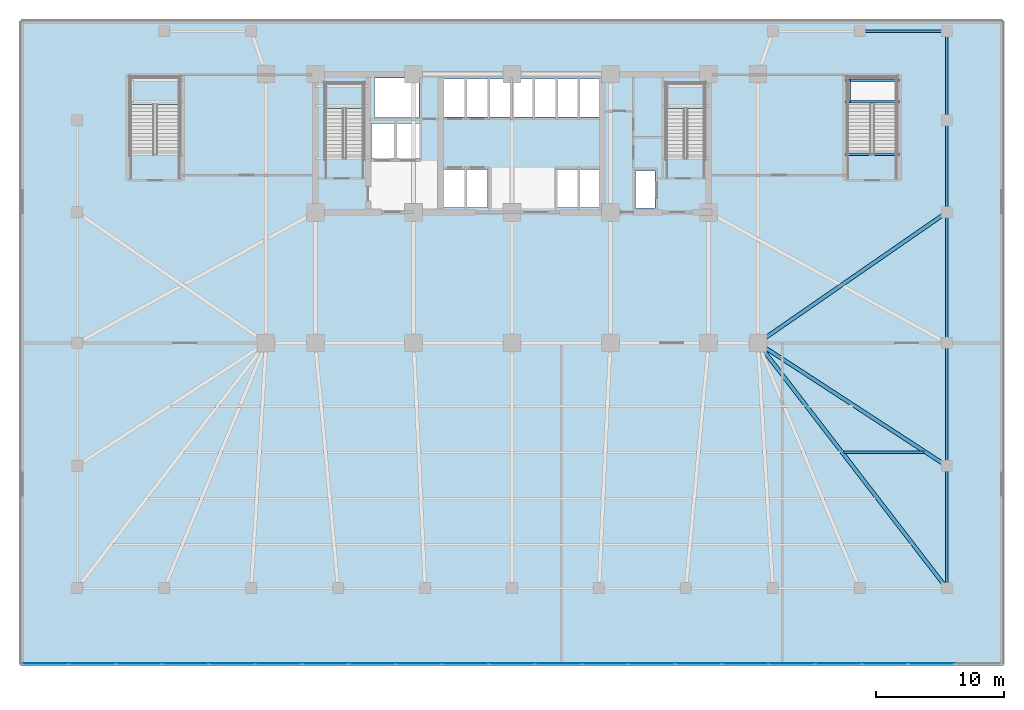
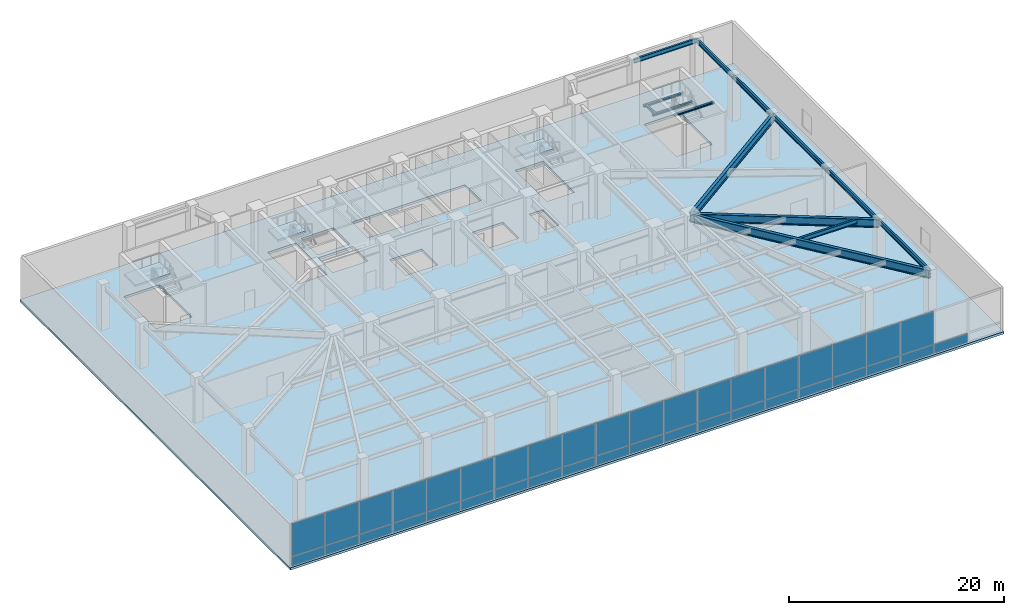
# One storey, part 11 of 19: 39 plates, 14 beams, 4 slabs, 4 elements without a shape of their own.
"""IFC4 building model written with IfcOpenShell, lengths in metres."""

from ifc_helpers import new_model, si_unit, direction, frame, origin, origin_2d, place, context, subcontext, project, spatial, polyline, rectangle, i_section, outline, extrude, material, layer, layer_set, material_profile, profile_set, type_object, element, aggregate, save


model = new_model("IFC4")

# Units and contexts
model_context = context("Model", 3, precision=1e-05, world=origin(), true_north=direction((0.0, 1.0)))
body_context = subcontext(model_context, "Body", "Model", "MODEL_VIEW")
ifc_project = project(units=[si_unit("LENGTHUNIT", "METRE"), si_unit("AREAUNIT", "SQUARE_METRE"), si_unit("VOLUMEUNIT", "CUBIC_METRE"), si_unit("PLANEANGLEUNIT", "RADIAN"), si_unit("MASSUNIT", "GRAM", prefix="KILO")], contexts=[model_context])

# Site, building, storey
site_placement = place(None, origin())
site = spatial("IfcSite", under=ifc_project, at=site_placement, CompositionType="ELEMENT")
building_placement = place(site_placement, origin())
building = spatial("IfcBuilding", under=site, at=building_placement, Name="Yelkora Congress Tower", CompositionType="ELEMENT")
storey_placement = place(building_placement, frame((0.0, 0.0, 5.199951171875)))
storey = spatial("IfcBuildingStorey", under=building, at=storey_placement, Name="L01", CompositionType="ELEMENT", Elevation=5.199951171875)

# Beams
ifc_material_1 = material(Name="Steel S460M", Category="steel")
ifc_material_profile_1 = material_profile(ifc_material_1, i_section(OverallWidth=0.302001953125, OverallDepth=0.909912109375, WebThickness=0.02099609375, FlangeThickness=0.0400390625, FilletRadius=0.030029296875, at=origin_2d()), Name="HEM 900")
ifc_profile_set_1 = profile_set([ifc_material_profile_1], Name="Steel S460M")
beam_type_1 = type_object("IfcBeamType", Name="BM-HALL-HEM900", PredefinedType="BEAM", material=ifc_profile_set_1)
beam_1_placement = place(storey_placement, frame((72.35009765625, 6.050048828125, 4.485107421875), z_axis=(-0.610212418574, 0.792237845737, 0.0), x_axis=(-0.792237845737, -0.610212418574, 0.0)))
element("IfcBeam", 1, at=beam_1_placement, inside=storey, type_object=beam_type_1, Name="L01 Primary Frame Girder PS11", PredefinedType="BEAM", context=body_context, shape_type="SweptSolid", body=[
    extrude(i_section(OverallWidth=0.302001953125, OverallDepth=0.909912109375, WebThickness=0.02099609375, FlangeThickness=0.0400390625, FilletRadius=0.030029296875, at=origin_2d()), origin(), (0.0, 0.0, 1.0), 24.171875),
])
beam_2_placement = place(storey_placement, frame((72.35009765625, 15.60009765625, 4.485107421875), z_axis=(-0.83812272066, 0.545481718404, 0.0), x_axis=(-0.545481718404, -0.83812272066, 0.0)))
element("IfcBeam", 2, at=beam_2_placement, inside=storey, type_object=beam_type_1, Name="L01 Primary Frame Girder PE1", PredefinedType="BEAM", context=body_context, shape_type="SweptSolid", body=[
    extrude(i_section(OverallWidth=0.302001953125, OverallDepth=0.909912109375, WebThickness=0.02099609375, FlangeThickness=0.0400390625, FilletRadius=0.030029296875, at=origin_2d()), origin(), (0.0, 0.0, 1.0), 17.598876953125),
])
beam_3_placement = place(storey_placement, frame((72.35009765625, 35.39990234375, 4.485107421875), z_axis=(-0.822494466498, -0.568773111689, 0.0), x_axis=(0.568773111689, -0.822494466498, 0.0)))
element("IfcBeam", 3, at=beam_3_placement, inside=storey, type_object=beam_type_1, Name="L01 Primary Frame Girder PE3", PredefinedType="BEAM", context=body_context, shape_type="SweptSolid", body=[
    extrude(i_section(OverallWidth=0.302001953125, OverallDepth=0.909912109375, WebThickness=0.02099609375, FlangeThickness=0.0400390625, FilletRadius=0.030029296875, at=origin_2d()), origin(), (0.0, 0.0, 1.0), 17.933349609375),
])
ifc_material_2 = material(Name="Steel S355J2", Category="steel")
ifc_material_profile_2 = material_profile(ifc_material_2, i_section(OverallWidth=0.199951171875, OverallDepth=0.5, WebThickness=0.01025390625, FlangeThickness=0.01611328125, FilletRadius=0.02099609375, at=origin_2d()), Name="IPE 500")
ifc_profile_set_2 = profile_set([ifc_material_profile_2], Name="Steel S355J2")
beam_type_2 = type_object("IfcBeamType", Name="BM-JOIST-IPE500", PredefinedType="JOIST", material=ifc_profile_set_2)
beam_4_placement = place(storey_placement, frame((64.345458984375, 16.64990234375, 4.68994140625), z_axis=(1.0, 0.0, 0.0), x_axis=(0.0, 1.0, 0.0)))
element("IfcBeam", 4, at=beam_4_placement, inside=storey, type_object=beam_type_2, Name="L01 Composite Floor Joist 31", PredefinedType="JOIST", context=body_context, shape_type="SweptSolid", body=[
    extrude(i_section(OverallWidth=0.199951171875, OverallDepth=0.5, WebThickness=0.01025390625, FlangeThickness=0.01611328125, FilletRadius=0.02099609375, at=origin_2d()), origin(), (0.0, 0.0, 1.0), 6.231201171875),
])
ifc_material_profile_3 = material_profile(ifc_material_2, i_section(OverallWidth=0.199951171875, OverallDepth=0.18994140625, WebThickness=0.006591796875, FlangeThickness=0.010009765625, FilletRadius=0.01806640625, at=origin_2d()), Name="HEA 200")
ifc_profile_set_3 = profile_set([ifc_material_profile_3], Name="Steel S355J2")
beam_type_3 = type_object("IfcBeamType", Name="BM-LAND-HEA200", PredefinedType="BEAM", material=ifc_profile_set_3)
for number, where, z_axis, x_axis, name in (
    (5, (64.39990234375, 44.0400390625, 2.28466796875), (1.0, 0.0, 0.0), (0.0, 1.0, 0.0), "ST-P2 L01 Landing Header Beam 1S"),
    (6, (64.39990234375, 45.72998046875, 2.28466796875), (1.0, 0.0, 0.0), (0.0, 1.0, 0.0), "ST-P2 L01 Landing Header Beam 1N"),
):
    element("IfcBeam", number, at=place(storey_placement, frame(where, z_axis=z_axis, x_axis=x_axis)), inside=storey, type_object=beam_type_3, Name=name, PredefinedType="BEAM", context=body_context, shape_type="SweptSolid", body=[
        extrude(i_section(OverallWidth=0.199951171875, OverallDepth=0.18994140625, WebThickness=0.006591796875, FlangeThickness=0.010009765625, FilletRadius=0.01806640625, at=origin_2d()), origin(), (0.0, 0.0, 1.0), 4.260009765625),
    ])
beam_5_placement = place(storey_placement, frame((64.719970703125, 44.0400390625, 2.28466796875), z_axis=(0.0, 1.0, 0.0), x_axis=(-1.0, 0.0, 0.0)))
element("IfcBeam", 7, at=beam_5_placement, inside=storey, type_object=beam_type_3, Name="ST-P2 L01 Landing Trimmer Beam 1M", PredefinedType="BEAM", context=body_context, shape_type="SweptSolid", body=[
    extrude(i_section(OverallWidth=0.199951171875, OverallDepth=0.18994140625, WebThickness=0.006591796875, FlangeThickness=0.010009765625, FilletRadius=0.01806640625, at=origin_2d()), origin(), (0.0, 0.0, 1.0), 1.68994140625),
])
beam_6_placement = place(storey_placement, frame((64.39990234375, 39.93994140625, 4.7431640625), z_axis=(1.0, 0.0, 0.0), x_axis=(0.0, 1.0, 0.0)))
element("IfcBeam", 8, at=beam_6_placement, inside=storey, type_object=beam_type_3, Name="ST-P2 L01 Floor Arrival Stringer Header Beam", PredefinedType="BEAM", context=body_context, shape_type="SweptSolid", body=[
    extrude(i_section(OverallWidth=0.199951171875, OverallDepth=0.18994140625, WebThickness=0.006591796875, FlangeThickness=0.010009765625, FilletRadius=0.01806640625, at=origin_2d()), origin(), (0.0, 0.0, 1.0), 4.260009765625),
])
ifc_material_profile_4 = material_profile(ifc_material_2, i_section(OverallWidth=0.199951171875, OverallDepth=0.5, WebThickness=0.01025390625, FlangeThickness=0.01611328125, FilletRadius=0.02099609375, at=origin_2d()), Name="IPE 500")
ifc_profile_set_4 = profile_set([ifc_material_profile_4], Name="Steel S355J2")
beam_type_4 = type_object("IfcBeamType", Name="BM-SPAN-IPE500B", PredefinedType="BEAM", material=ifc_profile_set_4)
beam_7_placement = place(storey_placement, frame((72.35009765625, 6.050048828125, 4.68994140625), z_axis=(0.0, 1.0, 0.0), x_axis=(-1.0, 0.0, 0.0)))
element("IfcBeam", 9, at=beam_7_placement, inside=storey, type_object=beam_type_4, Name="L01 Perimeter Beam 12", PredefinedType="BEAM", context=body_context, shape_type="SweptSolid", body=[
    extrude(i_section(OverallWidth=0.199951171875, OverallDepth=0.5, WebThickness=0.01025390625, FlangeThickness=0.01611328125, FilletRadius=0.02099609375, at=origin_2d()), origin(), (0.0, 0.0, 1.0), 9.550048828125),
])
beam_8_placement = place(storey_placement, frame((72.35009765625, 15.60009765625, 4.68994140625), z_axis=(0.0, 1.0, 0.0), x_axis=(-1.0, 0.0, 0.0)))
element("IfcBeam", 10, at=beam_8_placement, inside=storey, type_object=beam_type_4, Name="L01 Perimeter Beam 13", PredefinedType="BEAM", context=body_context, shape_type="SweptSolid", body=[
    extrude(i_section(OverallWidth=0.199951171875, OverallDepth=0.5, WebThickness=0.01025390625, FlangeThickness=0.01611328125, FilletRadius=0.02099609375, at=origin_2d()), origin(), (0.0, 0.0, 1.0), 9.599853515625),
])
beam_9_placement = place(storey_placement, frame((72.35009765625, 25.199951171875, 4.68994140625), z_axis=(0.0, 1.0, 0.0), x_axis=(-1.0, 0.0, 0.0)))
element("IfcBeam", 11, at=beam_9_placement, inside=storey, type_object=beam_type_4, Name="L01 Perimeter Beam 14", PredefinedType="BEAM", context=body_context, shape_type="SweptSolid", body=[
    extrude(i_section(OverallWidth=0.199951171875, OverallDepth=0.5, WebThickness=0.01025390625, FlangeThickness=0.01611328125, FilletRadius=0.02099609375, at=origin_2d()), origin(), (0.0, 0.0, 1.0), 10.199951171875),
])
beam_10_placement = place(storey_placement, frame((72.35009765625, 35.39990234375, 4.68994140625), z_axis=(0.0, 1.0, 0.0), x_axis=(-1.0, 0.0, 0.0)))
element("IfcBeam", 12, at=beam_10_placement, inside=storey, type_object=beam_type_4, Name="L01 Perimeter Beam 15", PredefinedType="BEAM", context=body_context, shape_type="SweptSolid", body=[
    extrude(i_section(OverallWidth=0.199951171875, OverallDepth=0.5, WebThickness=0.01025390625, FlangeThickness=0.01611328125, FilletRadius=0.02099609375, at=origin_2d()), origin(), (0.0, 0.0, 1.0), 7.2001953125),
])
beam_11_placement = place(storey_placement, frame((72.35009765625, 42.60009765625, 4.68994140625), z_axis=(0.0, 1.0, 0.0), x_axis=(-1.0, 0.0, 0.0)))
element("IfcBeam", 13, at=beam_11_placement, inside=storey, type_object=beam_type_4, Name="L01 Perimeter Beam 16", PredefinedType="BEAM", context=body_context, shape_type="SweptSolid", body=[
    extrude(i_section(OverallWidth=0.199951171875, OverallDepth=0.5, WebThickness=0.01025390625, FlangeThickness=0.01611328125, FilletRadius=0.02099609375, at=origin_2d()), origin(), (0.0, 0.0, 1.0), 6.949951171875),
])
beam_12_placement = place(storey_placement, frame((72.35009765625, 49.550048828125, 4.68994140625), z_axis=(-1.0, 0.0, 0.0), x_axis=(0.0, -1.0, 0.0)))
element("IfcBeam", 14, at=beam_12_placement, inside=storey, type_object=beam_type_4, Name="L01 Perimeter Beam 17", PredefinedType="BEAM", context=body_context, shape_type="SweptSolid", body=[
    extrude(i_section(OverallWidth=0.199951171875, OverallDepth=0.5, WebThickness=0.01025390625, FlangeThickness=0.01611328125, FilletRadius=0.02099609375, at=origin_2d()), origin(), (0.0, 0.0, 1.0), 6.7900390625),
])

# Curtain wall, plates
ifc_material_3 = material(Name="Anodised aluminium and insulated glass", Category="aluminium")
curtain_wall_type = type_object("IfcCurtainWallType", Name="CW-SYS-POD", PredefinedType="NOTDEFINED", material=ifc_material_3)
curtain_wall_placement = place(storey_placement, origin())
curtain_wall = element("IfcCurtainWall", 15, at=curtain_wall_placement, inside=storey, type_object=curtain_wall_type, Name="L01 Podium South Curtain Wall", PredefinedType="NOTDEFINED")
ifc_material_4 = material(Name="Double-glazed low-E podium vision glass", Category="glass")
ifc_layer_1 = layer(ifc_material_4, 0.0439453125)
ifc_layer_set_1 = layer_set([ifc_layer_1], Name="Double-glazed low-E podium vision glass")
plate_type = type_object("IfcPlateType", Name="PLT-PN-POD", PredefinedType="CURTAIN_PANEL", material=ifc_layer_set_1)
plate_1_placement = place(storey_placement, frame((71.17724609375, 0.159912109375, 0.070068359375), z_axis=(0.0, 0.0, 1.0), x_axis=(-1.0, 0.0, 0.0)))
plate_1 = element("IfcPlate", 16, at=plate_1_placement, type_object=plate_type, Name="CW-POD panel 2.1", PredefinedType="CURTAIN_PANEL", context=body_context, shape_type="SweptSolid", body=[
    extrude(rectangle(XDim=3.56689453125, YDim=0.0439453125, at=origin_2d()), origin(), (0.0, 0.0, 1.0), 0.9951171875),
])
plate_2_placement = place(storey_placement, frame((67.53515625, 0.159912109375, 0.070068359375), z_axis=(0.0, 0.0, 1.0), x_axis=(-1.0, 0.0, 0.0)))
plate_2 = element("IfcPlate", 17, at=plate_2_placement, type_object=plate_type, Name="CW-POD panel 3.1", PredefinedType="CURTAIN_PANEL", context=body_context, shape_type="SweptSolid", body=[
    extrude(rectangle(XDim=3.56689453125, YDim=0.0439453125, at=origin_2d()), origin(), (0.0, 0.0, 1.0), 0.9951171875),
])
plate_3_placement = place(storey_placement, frame((67.53515625, 0.159912109375, 1.134765625), z_axis=(0.0, 0.0, 1.0), x_axis=(-1.0, 0.0, 0.0)))
plate_3 = element("IfcPlate", 18, at=plate_3_placement, type_object=plate_type, Name="CW-POD panel 3.2", PredefinedType="CURTAIN_PANEL", context=body_context, shape_type="SweptSolid", body=[
    extrude(rectangle(XDim=3.56689453125, YDim=0.0439453125, at=origin_2d()), origin(), (0.0, 0.0, 1.0), 3.735107421875),
])
plate_4_placement = place(storey_placement, frame((63.893310546875, 0.159912109375, 0.070068359375), z_axis=(0.0, 0.0, 1.0), x_axis=(-1.0, 0.0, 0.0)))
plate_4 = element("IfcPlate", 19, at=plate_4_placement, type_object=plate_type, Name="CW-POD panel 4.1", PredefinedType="CURTAIN_PANEL", context=body_context, shape_type="SweptSolid", body=[
    extrude(rectangle(XDim=3.56689453125, YDim=0.0439453125, at=origin_2d()), origin(), (0.0, 0.0, 1.0), 0.9951171875),
])
plate_5_placement = place(storey_placement, frame((63.893310546875, 0.159912109375, 1.134765625), z_axis=(0.0, 0.0, 1.0), x_axis=(-1.0, 0.0, 0.0)))
plate_5 = element("IfcPlate", 20, at=plate_5_placement, type_object=plate_type, Name="CW-POD panel 4.2", PredefinedType="CURTAIN_PANEL", context=body_context, shape_type="SweptSolid", body=[
    extrude(rectangle(XDim=3.56689453125, YDim=0.0439453125, at=origin_2d()), origin(), (0.0, 0.0, 1.0), 3.735107421875),
])
plate_6_placement = place(storey_placement, frame((60.25146484375, 0.159912109375, 0.070068359375), z_axis=(0.0, 0.0, 1.0), x_axis=(-1.0, 0.0, 0.0)))
plate_6 = element("IfcPlate", 21, at=plate_6_placement, type_object=plate_type, Name="CW-POD panel 5.1", PredefinedType="CURTAIN_PANEL", context=body_context, shape_type="SweptSolid", body=[
    extrude(rectangle(XDim=3.56689453125, YDim=0.0439453125, at=origin_2d()), origin(), (0.0, 0.0, 1.0), 0.9951171875),
])
plate_7_placement = place(storey_placement, frame((60.25146484375, 0.159912109375, 1.134765625), z_axis=(0.0, 0.0, 1.0), x_axis=(-1.0, 0.0, 0.0)))
plate_7 = element("IfcPlate", 22, at=plate_7_placement, type_object=plate_type, Name="CW-POD panel 5.2", PredefinedType="CURTAIN_PANEL", context=body_context, shape_type="SweptSolid", body=[
    extrude(rectangle(XDim=3.56689453125, YDim=0.0439453125, at=origin_2d()), origin(), (0.0, 0.0, 1.0), 3.735107421875),
])
plate_8_placement = place(storey_placement, frame((56.609619140625, 0.159912109375, 0.070068359375), z_axis=(0.0, 0.0, 1.0), x_axis=(-1.0, 0.0, 0.0)))
plate_8 = element("IfcPlate", 23, at=plate_8_placement, type_object=plate_type, Name="CW-POD panel 6.1", PredefinedType="CURTAIN_PANEL", context=body_context, shape_type="SweptSolid", body=[
    extrude(rectangle(XDim=3.56689453125, YDim=0.0439453125, at=origin_2d()), origin(), (0.0, 0.0, 1.0), 0.9951171875),
])
plate_9_placement = place(storey_placement, frame((56.609619140625, 0.159912109375, 1.134765625), z_axis=(0.0, 0.0, 1.0), x_axis=(-1.0, 0.0, 0.0)))
plate_9 = element("IfcPlate", 24, at=plate_9_placement, type_object=plate_type, Name="CW-POD panel 6.2", PredefinedType="CURTAIN_PANEL", context=body_context, shape_type="SweptSolid", body=[
    extrude(rectangle(XDim=3.56689453125, YDim=0.0439453125, at=origin_2d()), origin(), (0.0, 0.0, 1.0), 3.735107421875),
])
plate_10_placement = place(storey_placement, frame((52.967529296875, 0.159912109375, 0.070068359375), z_axis=(0.0, 0.0, 1.0), x_axis=(-1.0, 0.0, 0.0)))
plate_10 = element("IfcPlate", 25, at=plate_10_placement, type_object=plate_type, Name="CW-POD panel 7.1", PredefinedType="CURTAIN_PANEL", context=body_context, shape_type="SweptSolid", body=[
    extrude(rectangle(XDim=3.56689453125, YDim=0.0439453125, at=origin_2d()), origin(), (0.0, 0.0, 1.0), 0.9951171875),
])
plate_11_placement = place(storey_placement, frame((52.967529296875, 0.159912109375, 1.134765625), z_axis=(0.0, 0.0, 1.0), x_axis=(-1.0, 0.0, 0.0)))
plate_11 = element("IfcPlate", 26, at=plate_11_placement, type_object=plate_type, Name="CW-POD panel 7.2", PredefinedType="CURTAIN_PANEL", context=body_context, shape_type="SweptSolid", body=[
    extrude(rectangle(XDim=3.56689453125, YDim=0.0439453125, at=origin_2d()), origin(), (0.0, 0.0, 1.0), 3.735107421875),
])
plate_12_placement = place(storey_placement, frame((49.32568359375, 0.159912109375, 0.070068359375), z_axis=(0.0, 0.0, 1.0), x_axis=(-1.0, 0.0, 0.0)))
plate_12 = element("IfcPlate", 27, at=plate_12_placement, type_object=plate_type, Name="CW-POD panel 8.1", PredefinedType="CURTAIN_PANEL", context=body_context, shape_type="SweptSolid", body=[
    extrude(rectangle(XDim=3.56689453125, YDim=0.0439453125, at=origin_2d()), origin(), (0.0, 0.0, 1.0), 0.9951171875),
])
plate_13_placement = place(storey_placement, frame((49.32568359375, 0.159912109375, 1.134765625), z_axis=(0.0, 0.0, 1.0), x_axis=(-1.0, 0.0, 0.0)))
plate_13 = element("IfcPlate", 28, at=plate_13_placement, type_object=plate_type, Name="CW-POD panel 8.2", PredefinedType="CURTAIN_PANEL", context=body_context, shape_type="SweptSolid", body=[
    extrude(rectangle(XDim=3.56689453125, YDim=0.0439453125, at=origin_2d()), origin(), (0.0, 0.0, 1.0), 3.735107421875),
])
plate_14_placement = place(storey_placement, frame((45.683837890625, 0.159912109375, 0.070068359375), z_axis=(0.0, 0.0, 1.0), x_axis=(-1.0, 0.0, 0.0)))
plate_14 = element("IfcPlate", 29, at=plate_14_placement, type_object=plate_type, Name="CW-POD panel 9.1", PredefinedType="CURTAIN_PANEL", context=body_context, shape_type="SweptSolid", body=[
    extrude(rectangle(XDim=3.56689453125, YDim=0.0439453125, at=origin_2d()), origin(), (0.0, 0.0, 1.0), 0.9951171875),
])
plate_15_placement = place(storey_placement, frame((45.683837890625, 0.159912109375, 1.134765625), z_axis=(0.0, 0.0, 1.0), x_axis=(-1.0, 0.0, 0.0)))
plate_15 = element("IfcPlate", 30, at=plate_15_placement, type_object=plate_type, Name="CW-POD panel 9.2", PredefinedType="CURTAIN_PANEL", context=body_context, shape_type="SweptSolid", body=[
    extrude(rectangle(XDim=3.56689453125, YDim=0.0439453125, at=origin_2d()), origin(), (0.0, 0.0, 1.0), 3.735107421875),
])
plate_16_placement = place(storey_placement, frame((42.0419921875, 0.159912109375, 0.070068359375), z_axis=(0.0, 0.0, 1.0), x_axis=(-1.0, 0.0, 0.0)))
plate_16 = element("IfcPlate", 31, at=plate_16_placement, type_object=plate_type, Name="CW-POD panel 10.1", PredefinedType="CURTAIN_PANEL", context=body_context, shape_type="SweptSolid", body=[
    extrude(rectangle(XDim=3.56689453125, YDim=0.0439453125, at=origin_2d()), origin(), (0.0, 0.0, 1.0), 0.9951171875),
])
plate_17_placement = place(storey_placement, frame((42.0419921875, 0.159912109375, 1.134765625), z_axis=(0.0, 0.0, 1.0), x_axis=(-1.0, 0.0, 0.0)))
plate_17 = element("IfcPlate", 32, at=plate_17_placement, type_object=plate_type, Name="CW-POD panel 10.2", PredefinedType="CURTAIN_PANEL", context=body_context, shape_type="SweptSolid", body=[
    extrude(rectangle(XDim=3.56689453125, YDim=0.0439453125, at=origin_2d()), origin(), (0.0, 0.0, 1.0), 3.735107421875),
])
plate_18_placement = place(storey_placement, frame((38.39990234375, 0.159912109375, 0.070068359375), z_axis=(0.0, 0.0, 1.0), x_axis=(-1.0, 0.0, 0.0)))
plate_18 = element("IfcPlate", 33, at=plate_18_placement, type_object=plate_type, Name="CW-POD panel 11.1", PredefinedType="CURTAIN_PANEL", context=body_context, shape_type="SweptSolid", body=[
    extrude(rectangle(XDim=3.56689453125, YDim=0.0439453125, at=origin_2d()), origin(), (0.0, 0.0, 1.0), 0.9951171875),
])
plate_19_placement = place(storey_placement, frame((38.39990234375, 0.159912109375, 1.134765625), z_axis=(0.0, 0.0, 1.0), x_axis=(-1.0, 0.0, 0.0)))
plate_19 = element("IfcPlate", 34, at=plate_19_placement, type_object=plate_type, Name="CW-POD panel 11.2", PredefinedType="CURTAIN_PANEL", context=body_context, shape_type="SweptSolid", body=[
    extrude(rectangle(XDim=3.56689453125, YDim=0.0439453125, at=origin_2d()), origin(), (0.0, 0.0, 1.0), 3.735107421875),
])
plate_20_placement = place(storey_placement, frame((34.758056640625, 0.159912109375, 0.070068359375), z_axis=(0.0, 0.0, 1.0), x_axis=(-1.0, 0.0, 0.0)))
plate_20 = element("IfcPlate", 35, at=plate_20_placement, type_object=plate_type, Name="CW-POD panel 12.1", PredefinedType="CURTAIN_PANEL", context=body_context, shape_type="SweptSolid", body=[
    extrude(rectangle(XDim=3.56689453125, YDim=0.0439453125, at=origin_2d()), origin(), (0.0, 0.0, 1.0), 0.9951171875),
])
plate_21_placement = place(storey_placement, frame((34.758056640625, 0.159912109375, 1.134765625), z_axis=(0.0, 0.0, 1.0), x_axis=(-1.0, 0.0, 0.0)))
plate_21 = element("IfcPlate", 36, at=plate_21_placement, type_object=plate_type, Name="CW-POD panel 12.2", PredefinedType="CURTAIN_PANEL", context=body_context, shape_type="SweptSolid", body=[
    extrude(rectangle(XDim=3.56689453125, YDim=0.0439453125, at=origin_2d()), origin(), (0.0, 0.0, 1.0), 3.735107421875),
])
plate_22_placement = place(storey_placement, frame((31.1162109375, 0.159912109375, 0.070068359375), z_axis=(0.0, 0.0, 1.0), x_axis=(-1.0, 0.0, 0.0)))
plate_22 = element("IfcPlate", 37, at=plate_22_placement, type_object=plate_type, Name="CW-POD panel 13.1", PredefinedType="CURTAIN_PANEL", context=body_context, shape_type="SweptSolid", body=[
    extrude(rectangle(XDim=3.56689453125, YDim=0.0439453125, at=origin_2d()), origin(), (0.0, 0.0, 1.0), 0.9951171875),
])
plate_23_placement = place(storey_placement, frame((31.1162109375, 0.159912109375, 1.134765625), z_axis=(0.0, 0.0, 1.0), x_axis=(-1.0, 0.0, 0.0)))
plate_23 = element("IfcPlate", 38, at=plate_23_placement, type_object=plate_type, Name="CW-POD panel 13.2", PredefinedType="CURTAIN_PANEL", context=body_context, shape_type="SweptSolid", body=[
    extrude(rectangle(XDim=3.56689453125, YDim=0.0439453125, at=origin_2d()), origin(), (0.0, 0.0, 1.0), 3.735107421875),
])
plate_24_placement = place(storey_placement, frame((27.474365234375, 0.159912109375, 0.070068359375), z_axis=(0.0, 0.0, 1.0), x_axis=(-1.0, 0.0, 0.0)))
plate_24 = element("IfcPlate", 39, at=plate_24_placement, type_object=plate_type, Name="CW-POD panel 14.1", PredefinedType="CURTAIN_PANEL", context=body_context, shape_type="SweptSolid", body=[
    extrude(rectangle(XDim=3.56689453125, YDim=0.0439453125, at=origin_2d()), origin(), (0.0, 0.0, 1.0), 0.9951171875),
])
plate_25_placement = place(storey_placement, frame((27.474365234375, 0.159912109375, 1.134765625), z_axis=(0.0, 0.0, 1.0), x_axis=(-1.0, 0.0, 0.0)))
plate_25 = element("IfcPlate", 40, at=plate_25_placement, type_object=plate_type, Name="CW-POD panel 14.2", PredefinedType="CURTAIN_PANEL", context=body_context, shape_type="SweptSolid", body=[
    extrude(rectangle(XDim=3.56689453125, YDim=0.0439453125, at=origin_2d()), origin(), (0.0, 0.0, 1.0), 3.735107421875),
])
plate_26_placement = place(storey_placement, frame((23.832275390625, 0.159912109375, 0.070068359375), z_axis=(0.0, 0.0, 1.0), x_axis=(-1.0, 0.0, 0.0)))
plate_26 = element("IfcPlate", 41, at=plate_26_placement, type_object=plate_type, Name="CW-POD panel 15.1", PredefinedType="CURTAIN_PANEL", context=body_context, shape_type="SweptSolid", body=[
    extrude(rectangle(XDim=3.56689453125, YDim=0.0439453125, at=origin_2d()), origin(), (0.0, 0.0, 1.0), 0.9951171875),
])
plate_27_placement = place(storey_placement, frame((23.832275390625, 0.159912109375, 1.134765625), z_axis=(0.0, 0.0, 1.0), x_axis=(-1.0, 0.0, 0.0)))
plate_27 = element("IfcPlate", 42, at=plate_27_placement, type_object=plate_type, Name="CW-POD panel 15.2", PredefinedType="CURTAIN_PANEL", context=body_context, shape_type="SweptSolid", body=[
    extrude(rectangle(XDim=3.56689453125, YDim=0.0439453125, at=origin_2d()), origin(), (0.0, 0.0, 1.0), 3.735107421875),
])
plate_28_placement = place(storey_placement, frame((20.1904296875, 0.159912109375, 0.070068359375), z_axis=(0.0, 0.0, 1.0), x_axis=(-1.0, 0.0, 0.0)))
plate_28 = element("IfcPlate", 43, at=plate_28_placement, type_object=plate_type, Name="CW-POD panel 16.1", PredefinedType="CURTAIN_PANEL", context=body_context, shape_type="SweptSolid", body=[
    extrude(rectangle(XDim=3.56689453125, YDim=0.0439453125, at=origin_2d()), origin(), (0.0, 0.0, 1.0), 0.9951171875),
])
plate_29_placement = place(storey_placement, frame((20.1904296875, 0.159912109375, 1.134765625), z_axis=(0.0, 0.0, 1.0), x_axis=(-1.0, 0.0, 0.0)))
plate_29 = element("IfcPlate", 44, at=plate_29_placement, type_object=plate_type, Name="CW-POD panel 16.2", PredefinedType="CURTAIN_PANEL", context=body_context, shape_type="SweptSolid", body=[
    extrude(rectangle(XDim=3.56689453125, YDim=0.0439453125, at=origin_2d()), origin(), (0.0, 0.0, 1.0), 3.735107421875),
])
plate_30_placement = place(storey_placement, frame((16.548583984375, 0.159912109375, 0.070068359375), z_axis=(0.0, 0.0, 1.0), x_axis=(-1.0, 0.0, 0.0)))
plate_30 = element("IfcPlate", 45, at=plate_30_placement, type_object=plate_type, Name="CW-POD panel 17.1", PredefinedType="CURTAIN_PANEL", context=body_context, shape_type="SweptSolid", body=[
    extrude(rectangle(XDim=3.56689453125, YDim=0.0439453125, at=origin_2d()), origin(), (0.0, 0.0, 1.0), 0.9951171875),
])
plate_31_placement = place(storey_placement, frame((16.548583984375, 0.159912109375, 1.134765625), z_axis=(0.0, 0.0, 1.0), x_axis=(-1.0, 0.0, 0.0)))
plate_31 = element("IfcPlate", 46, at=plate_31_placement, type_object=plate_type, Name="CW-POD panel 17.2", PredefinedType="CURTAIN_PANEL", context=body_context, shape_type="SweptSolid", body=[
    extrude(rectangle(XDim=3.56689453125, YDim=0.0439453125, at=origin_2d()), origin(), (0.0, 0.0, 1.0), 3.735107421875),
])
plate_32_placement = place(storey_placement, frame((12.90673828125, 0.159912109375, 0.070068359375), z_axis=(0.0, 0.0, 1.0), x_axis=(-1.0, 0.0, 0.0)))
plate_32 = element("IfcPlate", 47, at=plate_32_placement, type_object=plate_type, Name="CW-POD panel 18.1", PredefinedType="CURTAIN_PANEL", context=body_context, shape_type="SweptSolid", body=[
    extrude(rectangle(XDim=3.56689453125, YDim=0.0439453125, at=origin_2d()), origin(), (0.0, 0.0, 1.0), 0.9951171875),
])
plate_33_placement = place(storey_placement, frame((12.90673828125, 0.159912109375, 1.134765625), z_axis=(0.0, 0.0, 1.0), x_axis=(-1.0, 0.0, 0.0)))
plate_33 = element("IfcPlate", 48, at=plate_33_placement, type_object=plate_type, Name="CW-POD panel 18.2", PredefinedType="CURTAIN_PANEL", context=body_context, shape_type="SweptSolid", body=[
    extrude(rectangle(XDim=3.56689453125, YDim=0.0439453125, at=origin_2d()), origin(), (0.0, 0.0, 1.0), 3.735107421875),
])
plate_34_placement = place(storey_placement, frame((9.2646484375, 0.159912109375, 0.070068359375), z_axis=(0.0, 0.0, 1.0), x_axis=(-1.0, 0.0, 0.0)))
plate_34 = element("IfcPlate", 49, at=plate_34_placement, type_object=plate_type, Name="CW-POD panel 19.1", PredefinedType="CURTAIN_PANEL", context=body_context, shape_type="SweptSolid", body=[
    extrude(rectangle(XDim=3.56689453125, YDim=0.0439453125, at=origin_2d()), origin(), (0.0, 0.0, 1.0), 0.9951171875),
])
plate_35_placement = place(storey_placement, frame((9.2646484375, 0.159912109375, 1.134765625), z_axis=(0.0, 0.0, 1.0), x_axis=(-1.0, 0.0, 0.0)))
plate_35 = element("IfcPlate", 50, at=plate_35_placement, type_object=plate_type, Name="CW-POD panel 19.2", PredefinedType="CURTAIN_PANEL", context=body_context, shape_type="SweptSolid", body=[
    extrude(rectangle(XDim=3.56689453125, YDim=0.0439453125, at=origin_2d()), origin(), (0.0, 0.0, 1.0), 3.735107421875),
])
plate_36_placement = place(storey_placement, frame((5.622802734375, 0.159912109375, 0.070068359375), z_axis=(0.0, 0.0, 1.0), x_axis=(-1.0, 0.0, 0.0)))
plate_36 = element("IfcPlate", 51, at=plate_36_placement, type_object=plate_type, Name="CW-POD panel 20.1", PredefinedType="CURTAIN_PANEL", context=body_context, shape_type="SweptSolid", body=[
    extrude(rectangle(XDim=3.56689453125, YDim=0.0439453125, at=origin_2d()), origin(), (0.0, 0.0, 1.0), 0.9951171875),
])
plate_37_placement = place(storey_placement, frame((5.622802734375, 0.159912109375, 1.134765625), z_axis=(0.0, 0.0, 1.0), x_axis=(-1.0, 0.0, 0.0)))
plate_37 = element("IfcPlate", 52, at=plate_37_placement, type_object=plate_type, Name="CW-POD panel 20.2", PredefinedType="CURTAIN_PANEL", context=body_context, shape_type="SweptSolid", body=[
    extrude(rectangle(XDim=3.56689453125, YDim=0.0439453125, at=origin_2d()), origin(), (0.0, 0.0, 1.0), 3.735107421875),
])
plate_38_placement = place(storey_placement, frame((1.999755859375, 0.159912109375, 0.070068359375), z_axis=(0.0, 0.0, 1.0), x_axis=(-1.0, 0.0, 0.0)))
plate_38 = element("IfcPlate", 53, at=plate_38_placement, type_object=plate_type, Name="CW-POD panel 21.1", PredefinedType="CURTAIN_PANEL", context=body_context, shape_type="SweptSolid", body=[
    extrude(rectangle(XDim=3.529296875, YDim=0.0439453125, at=origin_2d()), origin(), (0.0, 0.0, 1.0), 0.9951171875),
])
plate_39_placement = place(storey_placement, frame((1.999755859375, 0.159912109375, 1.134765625), z_axis=(0.0, 0.0, 1.0), x_axis=(-1.0, 0.0, 0.0)))
plate_39 = element("IfcPlate", 54, at=plate_39_placement, type_object=plate_type, Name="CW-POD panel 21.2", PredefinedType="CURTAIN_PANEL", context=body_context, shape_type="SweptSolid", body=[
    extrude(rectangle(XDim=3.529296875, YDim=0.0439453125, at=origin_2d()), origin(), (0.0, 0.0, 1.0), 3.735107421875),
])
aggregate(curtain_wall, [plate_1, plate_2, plate_3, plate_4, plate_5, plate_6, plate_7, plate_8, plate_9, plate_10, plate_11, plate_12, plate_13, plate_14, plate_15, plate_16, plate_17, plate_18, plate_19, plate_20, plate_21, plate_22, plate_23, plate_24, plate_25, plate_26, plate_27, plate_28, plate_29, plate_30, plate_31, plate_32, plate_33, plate_34, plate_35, plate_36, plate_37, plate_38, plate_39])

# Stair, slab
ifc_material_5 = material(Name="Concrete C40/50", Category="concrete")
stair_type_1 = type_object("IfcStairType", Name="STAIR-HT-1420-R30-173", PredefinedType="HALF_TURN_STAIR", material=ifc_material_5)
stair_1_placement = place(storey_placement, origin())
stair_1 = element("IfcStair", 55, at=stair_1_placement, inside=storey, type_object=stair_type_1, Name="West Core Protected Exit Stair ST-01 (L01)", PredefinedType="HALF_TURN_STAIR")
ifc_layer_2 = layer(ifc_material_5, 0.219970703125)
ifc_layer_set_2 = layer_set([ifc_layer_2], Name="Concrete C40/50")
slab_type_1 = type_object("IfcSlabType", Name="SLAB-LANDING-220", PredefinedType="LANDING", material=ifc_layer_set_2)
slab_1_placement = place(storey_placement, frame((0.0, 0.0, 2.380126953125)))
slab_1 = element("IfcSlab", 56, at=slab_1_placement, type_object=slab_type_1, Name="ST-01 L01 Half Landing 1", PredefinedType="LANDING", context=body_context, shape_type="SweptSolid", body=[
    extrude(outline(polyline([(26.820068359375, 43.52001953125), (26.820068359375, 45.469970703125), (23.820068359375, 45.469970703125), (23.820068359375, 43.52001953125), (26.820068359375, 43.52001953125)])), origin(), (0.0, 0.0, 1.0), 0.219970703125),
])
aggregate(stair_1, [slab_1])

stair_2_placement = place(storey_placement, origin())
stair_2 = element("IfcStair", 57, at=stair_2_placement, inside=storey, type_object=stair_type_1, Name="East Core Protected Exit Stair ST-02 (L01)", PredefinedType="HALF_TURN_STAIR")
slab_2_placement = place(storey_placement, frame((0.0, 0.0, 2.380126953125)))
slab_2 = element("IfcSlab", 58, at=slab_2_placement, type_object=slab_type_1, Name="ST-02 L01 Half Landing 1", PredefinedType="LANDING", context=body_context, shape_type="SweptSolid", body=[
    extrude(outline(polyline([(53.4599609375, 43.52001953125), (53.4599609375, 45.469970703125), (50.4599609375, 45.469970703125), (50.4599609375, 43.52001953125), (53.4599609375, 43.52001953125)])), origin(), (0.0, 0.0, 1.0), 0.219970703125),
])
aggregate(stair_2, [slab_2])

stair_type_2 = type_object("IfcStairType", Name="STAIR-HT-1850-R30-173", PredefinedType="HALF_TURN_STAIR", material=ifc_material_5)
stair_3_placement = place(storey_placement, origin())
stair_3 = element("IfcStair", 59, at=stair_3_placement, inside=storey, type_object=stair_type_2, Name="Podium Exit Stair ST-P1 (L01)", PredefinedType="HALF_TURN_STAIR")
slab_3_placement = place(storey_placement, frame((0.0, 0.0, 2.380126953125)))
slab_3 = element("IfcSlab", 60, at=slab_3_placement, type_object=slab_type_1, Name="ST-P1 L01 Half Landing 1", PredefinedType="LANDING", context=body_context, shape_type="SweptSolid", body=[
    extrude(outline(polyline([(12.4599609375, 43.820068359375), (12.4599609375, 45.949951171875), (8.60009765625, 45.949951171875), (8.60009765625, 43.820068359375), (12.4599609375, 43.820068359375)])), origin(), (0.0, 0.0, 1.0), 0.219970703125),
])
aggregate(stair_3, [slab_3])

# Slab
ifc_layer_3 = layer(ifc_material_5, 0.260009765625)
ifc_layer_set_3 = layer_set([ifc_layer_3], Name="Concrete C40/50")
slab_type_2 = type_object("IfcSlabType", Name="SLAB-POD-260", PredefinedType="FLOOR", material=ifc_layer_set_3)
slab_4_placement = place(storey_placement, frame((0.0, 0.0, -0.260009765625)))
element("IfcSlab", 61, at=slab_4_placement, inside=storey, type_object=slab_type_2, Name="L01 Structural Floor Slab", PredefinedType="FLOOR", context=body_context, shape_type="SweptSolid", body=[
    extrude(outline(polyline([(0.0, 0.0), (76.800048828125, 0.0), (76.800048828125, 50.39990234375), (0.0, 50.39990234375), (0.0, 0.0)]), holes=[polyline([(23.820068359375, 39.6298828125), (26.820068359375, 39.6298828125), (26.820068359375, 45.469970703125), (23.820068359375, 45.469970703125), (23.820068359375, 39.6298828125)]), polyline([(50.4599609375, 39.6298828125), (53.4599609375, 39.6298828125), (53.4599609375, 45.469970703125), (50.4599609375, 45.469970703125), (50.4599609375, 39.6298828125)]), polyline([(8.60009765625, 39.929931640625), (12.4599609375, 39.929931640625), (12.4599609375, 45.949951171875), (8.60009765625, 45.949951171875), (8.60009765625, 39.929931640625)]), polyline([(64.60009765625, 39.929931640625), (68.4599609375, 39.929931640625), (68.4599609375, 45.949951171875), (64.60009765625, 45.949951171875), (64.60009765625, 39.929931640625)]), polyline([(48.050048828125, 35.75), (49.550048828125, 35.75), (49.550048828125, 38.64990234375), (48.050048828125, 38.64990234375), (48.050048828125, 35.75)]), polyline([(41.949951171875, 35.800048828125), (45.25, 35.800048828125), (45.25, 38.75), (41.949951171875, 38.75), (41.949951171875, 35.800048828125)]), polyline([(33.10009765625, 42.85009765625), (45.25, 42.85009765625), (45.25, 45.800048828125), (33.10009765625, 45.800048828125), (33.10009765625, 42.85009765625)]), polyline([(33.10009765625, 35.800048828125), (36.5, 35.800048828125), (36.5, 38.75), (33.10009765625, 38.75), (33.10009765625, 35.800048828125)]), polyline([(27.419921875, 39.60009765625), (31.179931640625, 39.60009765625), (31.179931640625, 42.35009765625), (27.419921875, 42.35009765625), (27.419921875, 39.60009765625)]), polyline([(27.64990234375, 42.820068359375), (31.1201171875, 42.820068359375), (31.1201171875, 45.8798828125), (27.64990234375, 45.8798828125), (27.64990234375, 42.820068359375)])]), origin(), (0.0, 0.0, 1.0), 0.260009765625),
])

save(model, "model.ifc")
